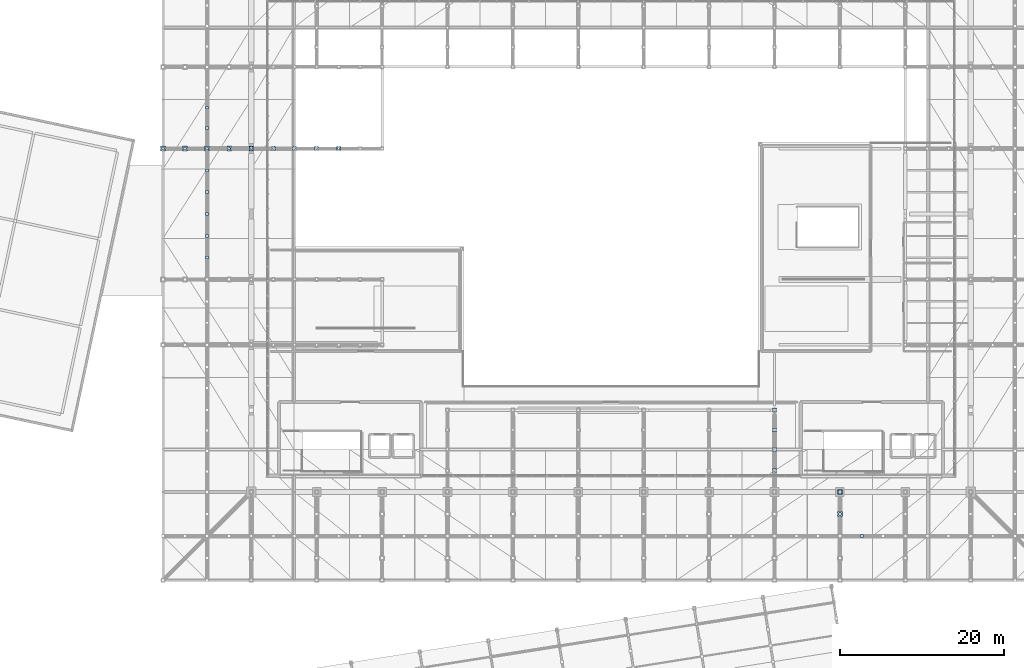
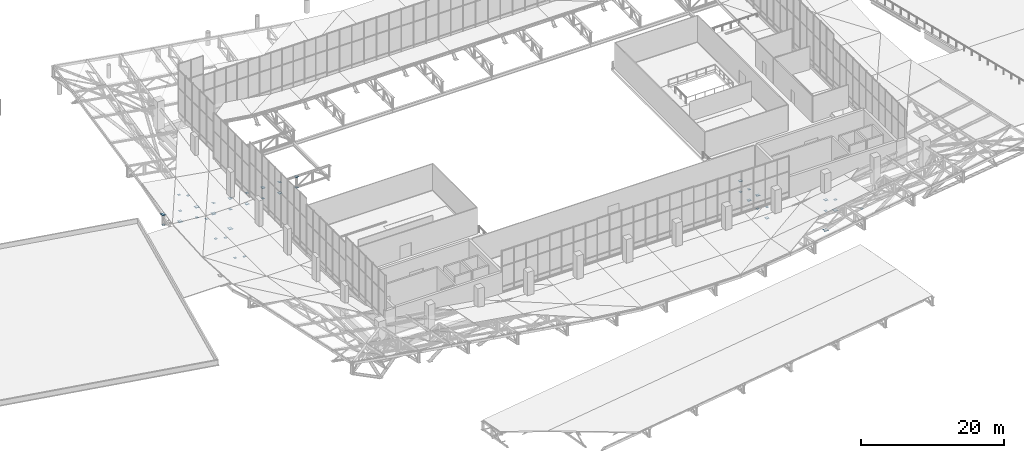
# One storey, part 116 of 137: 40 plates.
"""IFC4 building model written with IfcOpenShell, lengths in metres."""

from ifc_helpers import new_model, si_unit, direction, frame, origin, origin_2d, place, context, subcontext, project, spatial, rectangle, extrude, material, layer, layer_set, type_object, element, save


model = new_model("IFC4")

# Units and contexts
model_context = context("Model", 3, precision=1e-05, world=origin(), true_north=direction((0.0, 1.0)))
body_context = subcontext(model_context, "Body", "Model", "MODEL_VIEW")
ifc_project = project(units=[si_unit("LENGTHUNIT", "METRE"), si_unit("AREAUNIT", "SQUARE_METRE"), si_unit("VOLUMEUNIT", "CUBIC_METRE"), si_unit("PLANEANGLEUNIT", "RADIAN"), si_unit("MASSUNIT", "GRAM", prefix="KILO")], contexts=[model_context])

# Site, building, storey
site_placement = place(None, origin())
site = spatial("IfcSite", under=ifc_project, at=site_placement, CompositionType="ELEMENT")
building_placement = place(site_placement, origin())
building = spatial("IfcBuilding", under=site, at=building_placement, Name="Khorjan Park Terminus", CompositionType="ELEMENT")
storey_placement = place(building_placement, frame((0.0, 0.0, 11.4)))
storey = spatial("IfcBuildingStorey", under=building, at=storey_placement, Name="L02", CompositionType="ELEMENT", Elevation=11.4)

# Plates
ifc_material = material(Name="Steel S355", Category="steel")
ifc_layer_1 = layer(ifc_material, 0.022)
ifc_layer_set_1 = layer_set([ifc_layer_1], Name="Steel S355")
plate_type_1 = type_object("IfcPlateType", Name="PT-GUS-22", PredefinedType="SHEET", material=ifc_layer_set_1)
for number, where, z_axis, x_axis, name in (
    (1, (112.0, 28.6, -0.061), (0.0, 0.0, 1.0), (1.0, 0.0, 0.0), "Steel truss node cap plate NP-22 (RC2-GUS-END-0765)"),
    (2, (112.0, 31.2, -1.931), (0.0, 0.0, 1.0), (1.0, 0.0, 0.0), "Steel truss node cap plate NP-22 (RC2-GUS-END-0766)"),
    (3, (112.0, 33.6, -0.061), (0.0, 0.0, 1.0), (1.0, 0.0, 0.0), "Steel truss node cap plate NP-22 (RC2-GUS-END-0767)"),
    (4, (112.0, 36.0, -1.931), (0.0, 0.0, 1.0), (1.0, 0.0, 0.0), "Steel truss node cap plate NP-22 (RC2-GUS-END-0768)"),
):
    element("IfcPlate", number, at=place(storey_placement, frame(where, z_axis=z_axis, x_axis=x_axis)), inside=storey, type_object=plate_type_1, Name=name, PredefinedType="SHEET", context=body_context, shape_type="SweptSolid", body=[
        extrude(rectangle(XDim=0.36, YDim=0.36, at=origin_2d()), origin(), (0.0, 0.0, 1.0), 0.022),
    ])
for number, where, z_axis, x_axis, name in (
    (5, (112.0, 28.6, -1.931), (0.0, 0.0, 1.0), (1.0, 0.0, 0.0), "Steel truss node cap plate NP-22 (RC2-GUS-END-0774)"),
    (6, (112.0, 31.2, 0.381), (0.0, 0.0, 1.0), (1.0, 0.0, 0.0), "Steel truss node cap plate NP-22 (RC2-GUS-END-0775)"),
    (7, (112.0, 33.6, -1.931), (0.0, 0.0, 1.0), (1.0, 0.0, 0.0), "Steel truss node cap plate NP-22 (RC2-GUS-END-0776)"),
    (8, (112.0, 36.0, -0.061), (0.0, 0.0, 1.0), (1.0, 0.0, 0.0), "Steel truss node cap plate NP-22 (RC2-GUS-END-0777)"),
    (9, (120.0, 26.0, -0.061), (0.0, 0.0, 1.0), (1.0, 0.0, 0.0), "Steel truss node cap plate NP-22 (RC2-GUS-END-0807)"),
):
    element("IfcPlate", number, at=place(storey_placement, frame(where, z_axis=z_axis, x_axis=x_axis)), inside=storey, type_object=plate_type_1, Name=name, PredefinedType="SHEET", context=body_context, shape_type="SweptSolid", body=[
        extrude(rectangle(XDim=0.49, YDim=0.49, at=origin_2d()), origin(), (0.0, 0.0, 1.0), 0.022),
    ])
for number, where, z_axis, x_axis, name in (
    (10, (50.7, 68.0, -0.061), (0.0, 0.0, 1.0), (1.0, 0.0, 0.0), "Steel truss node cap plate NP-22 (RC2-GUS-END-1025)"),
    (11, (53.3, 68.0, -1.931), (0.0, 0.0, 1.0), (1.0, 0.0, 0.0), "Steel truss node cap plate NP-22 (RC2-GUS-END-1026)"),
    (12, (56.0, 68.0, -0.061), (0.0, 0.0, 1.0), (1.0, 0.0, 0.0), "Steel truss node cap plate NP-22 (RC2-GUS-END-1027)"),
    (13, (58.7, 68.0, -1.931), (0.0, 0.0, 1.0), (1.0, 0.0, 0.0), "Steel truss node cap plate NP-22 (RC2-GUS-END-1028)"),
):
    element("IfcPlate", number, at=place(storey_placement, frame(where, z_axis=z_axis, x_axis=x_axis)), inside=storey, type_object=plate_type_1, Name=name, PredefinedType="SHEET", context=body_context, shape_type="SweptSolid", body=[
        extrude(rectangle(XDim=0.36, YDim=0.36, at=origin_2d()), origin(), (0.0, 0.0, 1.0), 0.022),
    ])
for number, where, z_axis, x_axis, name in (
    (14, (48.0, 68.0, -0.061), (0.0, 0.0, 1.0), (1.0, 0.0, 0.0), "Steel truss node cap plate NP-22 (RC2-GUS-END-1035)"),
    (15, (50.7, 68.0, -1.931), (0.0, 0.0, 1.0), (1.0, 0.0, 0.0), "Steel truss node cap plate NP-22 (RC2-GUS-END-1036)"),
    (16, (53.3, 68.0, -0.061), (0.0, 0.0, 1.0), (1.0, 0.0, 0.0), "Steel truss node cap plate NP-22 (RC2-GUS-END-1037)"),
    (17, (56.0, 68.0, -1.931), (0.0, 0.0, 1.0), (1.0, 0.0, 0.0), "Steel truss node cap plate NP-22 (RC2-GUS-END-1038)"),
    (18, (58.7, 68.0, -0.061), (0.0, 0.0, 1.0), (1.0, 0.0, 0.0), "Steel truss node cap plate NP-22 (RC2-GUS-END-1039)"),
):
    element("IfcPlate", number, at=place(storey_placement, frame(where, z_axis=z_axis, x_axis=x_axis)), inside=storey, type_object=plate_type_1, Name=name, PredefinedType="SHEET", context=body_context, shape_type="SweptSolid", body=[
        extrude(rectangle(XDim=0.49, YDim=0.49, at=origin_2d()), origin(), (0.0, 0.0, 1.0), 0.022),
    ])
ifc_layer_2 = layer(ifc_material, 0.025)
ifc_layer_set_2 = layer_set([ifc_layer_2], Name="Steel S355")
plate_type_2 = type_object("IfcPlateType", Name="PT-GUSE-25", PredefinedType="SHEET", material=ifc_layer_set_2)
for number, where, z_axis, x_axis, name in (
    (19, (120.0, 23.3, 1.6398), (0.0, 0.0, 1.0), (1.0, 0.0, 0.0), "Steel truss node cap plate NPE-25 (RC2-GUS-END-0801)"),
    (20, (120.0, 26.0, -1.9325), (0.0, 0.0, 1.0), (1.0, 0.0, 0.0), "Steel truss node cap plate NPE-25 (RC2-GUS-END-0802)"),
):
    element("IfcPlate", number, at=place(storey_placement, frame(where, z_axis=z_axis, x_axis=x_axis)), inside=storey, type_object=plate_type_2, Name=name, PredefinedType="SHEET", context=body_context, shape_type="SweptSolid", body=[
        extrude(rectangle(XDim=0.36, YDim=0.36, at=origin_2d()), origin(), (0.0, 0.0, 1.0), 0.025),
    ])
for number, where, z_axis, x_axis, name in (
    (21, (120.0, 23.3, -0.1602), (0.0, 0.0, 1.0), (1.0, 0.0, 0.0), "Steel truss node cap plate NPE-25 (RC2-GUS-END-0806)"),
    (22, (120.0, 26.0, -5.2125), (0.0, 0.0, 1.0), (1.0, 0.0, 0.0), "Steel truss node cap plate NPE-25 (RC2-GUS-END-0808)"),
):
    element("IfcPlate", number, at=place(storey_placement, frame(where, z_axis=z_axis, x_axis=x_axis)), inside=storey, type_object=plate_type_2, Name=name, PredefinedType="SHEET", context=body_context, shape_type="SweptSolid", body=[
        extrude(rectangle(XDim=0.59, YDim=0.59, at=origin_2d()), origin(), (0.0, 0.0, 1.0), 0.025),
    ])
for number, where, z_axis, x_axis, name in (
    (23, (122.7, 20.6, 0.814), (0.0, 0.0, 1.0), (1.0, 0.0, 0.0), "Steel truss node cap plate NPE-25 (RC2-GUS-END-0902)"),
    (24, (37.2, 68.0, -0.7791), (0.0, 0.0, 1.0), (1.0, 0.0, 0.0), "Steel truss node cap plate NPE-25 (RC2-GUS-END-1020)"),
    (25, (39.9, 68.0, 0.6422), (0.0, 0.0, 1.0), (1.0, 0.0, 0.0), "Steel truss node cap plate NPE-25 (RC2-GUS-END-1021)"),
    (26, (42.6, 68.0, -1.4231), (0.0, 0.0, 1.0), (1.0, 0.0, 0.0), "Steel truss node cap plate NPE-25 (RC2-GUS-END-1022)"),
    (27, (45.3, 68.0, 0.1075), (0.0, 0.0, 1.0), (1.0, 0.0, 0.0), "Steel truss node cap plate NPE-25 (RC2-GUS-END-1023)"),
    (28, (48.0, 68.0, -1.9325), (0.0, 0.0, 1.0), (1.0, 0.0, 0.0), "Steel truss node cap plate NPE-25 (RC2-GUS-END-1024)"),
):
    element("IfcPlate", number, at=place(storey_placement, frame(where, z_axis=z_axis, x_axis=x_axis)), inside=storey, type_object=plate_type_2, Name=name, PredefinedType="SHEET", context=body_context, shape_type="SweptSolid", body=[
        extrude(rectangle(XDim=0.36, YDim=0.36, at=origin_2d()), origin(), (0.0, 0.0, 1.0), 0.025),
    ])
for number, where, z_axis, x_axis, name in (
    (29, (37.2, 68.0, 1.0209), (0.0, 0.0, 1.0), (1.0, 0.0, 0.0), "Steel truss node cap plate NPE-25 (RC2-GUS-END-1031)"),
    (30, (39.9, 68.0, -1.1578), (0.0, 0.0, 1.0), (1.0, 0.0, 0.0), "Steel truss node cap plate NPE-25 (RC2-GUS-END-1032)"),
    (31, (42.6, 68.0, 0.3769), (0.0, 0.0, 1.0), (1.0, 0.0, 0.0), "Steel truss node cap plate NPE-25 (RC2-GUS-END-1033)"),
    (32, (45.3, 68.0, -1.6925), (0.0, 0.0, 1.0), (1.0, 0.0, 0.0), "Steel truss node cap plate NPE-25 (RC2-GUS-END-1034)"),
    (33, (48.0, 68.0, -5.2125), (0.0, 0.0, 1.0), (1.0, 0.0, 0.0), "Steel truss node cap plate NPE-25 (RC2-GUS-END-1042)"),
):
    element("IfcPlate", number, at=place(storey_placement, frame(where, z_axis=z_axis, x_axis=x_axis)), inside=storey, type_object=plate_type_2, Name=name, PredefinedType="SHEET", context=body_context, shape_type="SweptSolid", body=[
        extrude(rectangle(XDim=0.59, YDim=0.59, at=origin_2d()), origin(), (0.0, 0.0, 1.0), 0.025),
    ])
for number, where, z_axis, x_axis, name in (
    (34, (42.6, 54.7, -0.0405), (0.0, 0.0, 1.0), (1.0, 0.0, 0.0), "Steel truss node cap plate NPE-25 (RC2-GUS-END-1106)"),
    (35, (42.6, 57.3, -1.8405), (0.0, 0.0, 1.0), (1.0, 0.0, 0.0), "Steel truss node cap plate NPE-25 (RC2-GUS-END-1107)"),
    (36, (42.6, 60.0, -0.0405), (0.0, 0.0, 1.0), (1.0, 0.0, 0.0), "Steel truss node cap plate NPE-25 (RC2-GUS-END-1108)"),
    (37, (42.6, 62.7, -1.8405), (0.0, 0.0, 1.0), (1.0, 0.0, 0.0), "Steel truss node cap plate NPE-25 (RC2-GUS-END-1109)"),
    (38, (42.6, 65.3, -0.0405), (0.0, 0.0, 1.0), (1.0, 0.0, 0.0), "Steel truss node cap plate NPE-25 (RC2-GUS-END-1110)"),
    (39, (42.6, 70.5, 0.7943), (0.0, 0.0, 1.0), (1.0, 0.0, 0.0), "Steel truss node cap plate NPE-25 (RC2-GUS-END-1111)"),
    (40, (42.6, 73.0, -0.5884), (0.0, 0.0, 1.0), (1.0, 0.0, 0.0), "Steel truss node cap plate NPE-25 (RC2-GUS-END-1112)"),
):
    element("IfcPlate", number, at=place(storey_placement, frame(where, z_axis=z_axis, x_axis=x_axis)), inside=storey, type_object=plate_type_2, Name=name, PredefinedType="SHEET", context=body_context, shape_type="SweptSolid", body=[
        extrude(rectangle(XDim=0.36, YDim=0.36, at=origin_2d()), origin(), (0.0, 0.0, 1.0), 0.025),
    ])

save(model, "model.ifc")
